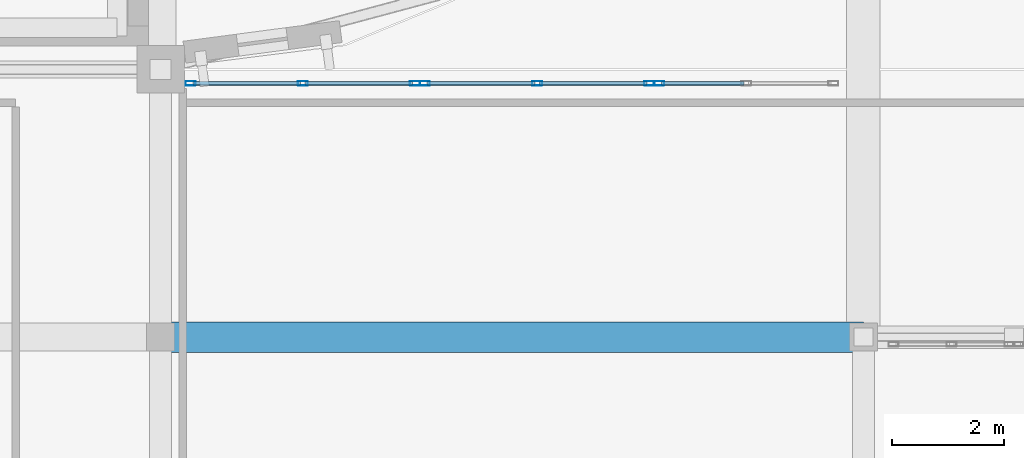
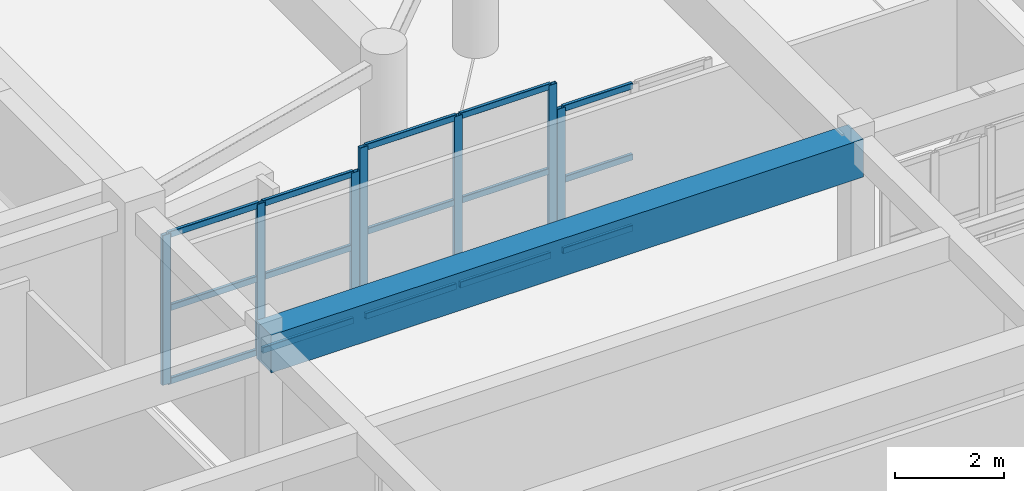
# One storey, part 35 of 92: 22 members, 1 beam, 3 elements without a shape of their own.
"""IFC4 building model written with IfcOpenShell, lengths in metres."""

from ifc_helpers import new_model, si_unit, direction, frame, origin, origin_2d, place, context, subcontext, project, spatial, rectangle, hollow_rectangle, extrude, material, layer, layer_set, material_profile, profile_set, type_object, element, aggregate, save


model = new_model("IFC4")

# Units and contexts
model_context = context("Model", 3, precision=1e-05, world=origin(), true_north=direction((0.0, 1.0)))
body_context = subcontext(model_context, "Body", "Model", "MODEL_VIEW")
ifc_project = project(units=[si_unit("LENGTHUNIT", "METRE"), si_unit("AREAUNIT", "SQUARE_METRE"), si_unit("VOLUMEUNIT", "CUBIC_METRE"), si_unit("PLANEANGLEUNIT", "RADIAN"), si_unit("MASSUNIT", "GRAM", prefix="KILO")], contexts=[model_context])

# Site, building, storey
site_placement = place(None, origin())
site = spatial("IfcSite", under=ifc_project, at=site_placement, CompositionType="ELEMENT")
building_placement = place(site_placement, origin())
building = spatial("IfcBuilding", under=site, at=building_placement, Name="Tarnavel Promenade Courthouse", CompositionType="ELEMENT")
storey_placement = place(building_placement, frame((0.0, 0.0, 5.39990234375)))
storey = spatial("IfcBuildingStorey", under=building, at=storey_placement, Name="L02", CompositionType="ELEMENT", Elevation=5.39990234375)

# Beam
ifc_material_1 = material(Name="Concrete C40/50", Category="concrete")
ifc_material_profile_1 = material_profile(ifc_material_1, rectangle(XDim=0.550048828125, YDim=0.85009765625, at=origin_2d()), Name="PT 550x850")
ifc_profile_set_1 = profile_set([ifc_material_profile_1], Name="Concrete C40/50")
beam_type = type_object("IfcBeamType", Name="Concrete C40/50 BM-PT-550x850 (PT 550x850)", PredefinedType="T_BEAM", material=ifc_profile_set_1)
beam_placement = place(storey_placement, frame((102.0, 74.39990234375, 3.77001953125), z_axis=(1.0, 0.0, 0.0), x_axis=(0.0, 1.0, 0.0)))
element("IfcBeam", 1, at=beam_placement, inside=storey, type_object=beam_type, Name="L02 Primary Longitudinal Beam 1161", PredefinedType="T_BEAM", context=body_context, shape_type="SweptSolid", body=[
    extrude(rectangle(XDim=0.550048828125, YDim=0.85009765625, at=origin_2d()), origin(), (0.0, 0.0, 1.0), 12.60009765625),
])

# Curtain wall, members
ifc_material_2 = material(Name="Thermally Broken Anodised Aluminium Curtain Wall System", Category="aluminium")
ifc_layer = layer(ifc_material_2, 0.2099609375)
ifc_layer_set = layer_set([ifc_layer], Name="Thermally Broken Anodised Aluminium Curtain Wall System")
curtain_wall_type = type_object("IfcCurtainWallType", Name="Thermally Broken Aluminium Triple-Glazed Curtain Wall CW-WG-N", PredefinedType="NOTDEFINED", material=ifc_layer_set)
curtain_wall_1_placement = place(storey_placement, origin())
curtain_wall_1 = element("IfcCurtainWall", 2, at=curtain_wall_1_placement, inside=storey, type_object=curtain_wall_type, Name="L02 Winter-Garden North Curtain Wall 111", PredefinedType="NOTDEFINED")
ifc_material_3 = material(Name="Thermally Broken Anodised Aluminium Frame", Category="aluminium")
ifc_material_profile_2 = material_profile(ifc_material_3, hollow_rectangle(XDim=0.080078125, YDim=0.179931640625, WallThickness=0.0048828125, InnerFilletRadius=0.0048828125, OuterFilletRadius=0.010009765625, at=origin_2d()), Name="CWM 180x80x5")
ifc_profile_set_2 = profile_set([ifc_material_profile_2], Name="Thermally Broken Anodised Aluminium Frame")
member_type_1 = type_object("IfcMemberType", Name="Thermally Broken Anodised Aluminium CWM-155 (CWM 180x80x5)", PredefinedType="MULLION", material=ifc_profile_set_2)
member_1_placement = place(storey_placement, frame((102.5400390625, 78.949951171875, 0.0), z_axis=(0.0, 0.0, 1.0), x_axis=(0.0, 1.0, 0.0)))
member_1 = element("IfcMember", 3, at=member_1_placement, type_object=member_type_1, Name="CW-03 mullion 1", PredefinedType="MULLION", context=body_context, shape_type="SweptSolid", body=[
    extrude(hollow_rectangle(XDim=0.080078125, YDim=0.179931640625, WallThickness=0.0048828125, InnerFilletRadius=0.0048828125, OuterFilletRadius=0.010009765625, at=origin_2d()), origin(), (0.0, 0.0, 1.0), 3.3701171875),
])
member_2_placement = place(storey_placement, frame((104.550048828125, 78.949951171875, 0.0), z_axis=(0.0, 0.0, 1.0), x_axis=(0.0, 1.0, 0.0)))
member_2 = element("IfcMember", 4, at=member_2_placement, type_object=member_type_1, Name="CW-03 mullion 2", PredefinedType="MULLION", context=body_context, shape_type="SweptSolid", body=[
    extrude(hollow_rectangle(XDim=0.080078125, YDim=0.179931640625, WallThickness=0.0048828125, InnerFilletRadius=0.0048828125, OuterFilletRadius=0.010009765625, at=origin_2d()), origin(), (0.0, 0.0, 1.0), 3.3701171875),
])
member_3_placement = place(storey_placement, frame((106.56005859375, 78.949951171875, 0.0), z_axis=(0.0, 0.0, 1.0), x_axis=(0.0, 1.0, 0.0)))
member_3 = element("IfcMember", 5, at=member_3_placement, type_object=member_type_1, Name="CW-03 mullion 3", PredefinedType="MULLION", context=body_context, shape_type="SweptSolid", body=[
    extrude(hollow_rectangle(XDim=0.080078125, YDim=0.179931640625, WallThickness=0.0048828125, InnerFilletRadius=0.0048828125, OuterFilletRadius=0.010009765625, at=origin_2d()), origin(), (0.0, 0.0, 1.0), 3.3701171875),
])

curtain_wall_2_placement = place(storey_placement, origin())
curtain_wall_2 = element("IfcCurtainWall", 6, at=curtain_wall_2_placement, inside=storey, type_object=curtain_wall_type, Name="L02 Winter-Garden North Curtain Wall 112", PredefinedType="NOTDEFINED")
member_4_placement = place(storey_placement, frame((106.739990234375, 78.949951171875, 0.0), z_axis=(0.0, 0.0, 1.0), x_axis=(0.0, 1.0, 0.0)))
member_4 = element("IfcMember", 7, at=member_4_placement, type_object=member_type_1, Name="CW-03 mullion 1", PredefinedType="MULLION", context=body_context, shape_type="SweptSolid", body=[
    extrude(hollow_rectangle(XDim=0.080078125, YDim=0.179931640625, WallThickness=0.0048828125, InnerFilletRadius=0.0048828125, OuterFilletRadius=0.010009765625, at=origin_2d()), origin(), (0.0, 0.0, 1.0), 3.8701171875),
])
member_5_placement = place(storey_placement, frame((108.75, 78.949951171875, 0.0), z_axis=(0.0, 0.0, 1.0), x_axis=(0.0, 1.0, 0.0)))
member_5 = element("IfcMember", 8, at=member_5_placement, type_object=member_type_1, Name="CW-03 mullion 2", PredefinedType="MULLION", context=body_context, shape_type="SweptSolid", body=[
    extrude(hollow_rectangle(XDim=0.080078125, YDim=0.179931640625, WallThickness=0.0048828125, InnerFilletRadius=0.0048828125, OuterFilletRadius=0.010009765625, at=origin_2d()), origin(), (0.0, 0.0, 1.0), 3.8701171875),
])
member_6_placement = place(storey_placement, frame((110.760009765625, 78.949951171875, 0.0), z_axis=(0.0, 0.0, 1.0), x_axis=(0.0, 1.0, 0.0)))
member_6 = element("IfcMember", 9, at=member_6_placement, type_object=member_type_1, Name="CW-03 mullion 3", PredefinedType="MULLION", context=body_context, shape_type="SweptSolid", body=[
    extrude(hollow_rectangle(XDim=0.080078125, YDim=0.179931640625, WallThickness=0.0048828125, InnerFilletRadius=0.0048828125, OuterFilletRadius=0.010009765625, at=origin_2d()), origin(), (0.0, 0.0, 1.0), 3.8701171875),
])

# Curtain wall, member
curtain_wall_3_placement = place(storey_placement, origin())
curtain_wall_3 = element("IfcCurtainWall", 10, at=curtain_wall_3_placement, inside=storey, type_object=curtain_wall_type, Name="L02 Winter-Garden North Curtain Wall 113", PredefinedType="NOTDEFINED")
member_7_placement = place(storey_placement, frame((110.93994140625, 78.949951171875, 0.0), z_axis=(0.0, 0.0, 1.0), x_axis=(0.0, 1.0, 0.0)))
member_7 = element("IfcMember", 11, at=member_7_placement, type_object=member_type_1, Name="CW-03 mullion 1", PredefinedType="MULLION", context=body_context, shape_type="SweptSolid", body=[
    extrude(hollow_rectangle(XDim=0.080078125, YDim=0.179931640625, WallThickness=0.0048828125, InnerFilletRadius=0.0048828125, OuterFilletRadius=0.010009765625, at=origin_2d()), origin(), (0.0, 0.0, 1.0), 3.27001953125),
])

# Member
ifc_material_profile_3 = material_profile(ifc_material_3, hollow_rectangle(XDim=0.070068359375, YDim=0.139892578125, WallThickness=0.0048828125, InnerFilletRadius=0.0048828125, OuterFilletRadius=0.010009765625, at=origin_2d()), Name="CWT 140x70x5")
ifc_profile_set_3 = profile_set([ifc_material_profile_3], Name="Thermally Broken Anodised Aluminium Frame")
member_type_2 = type_object("IfcMemberType", Name="Thermally Broken Anodised Aluminium CWT-125 (CWT 140x70x5)", PredefinedType="USERDEFINED", material=ifc_profile_set_3)
member_8_placement = place(storey_placement, frame((102.580078125, 78.949951171875, 0.03515625), z_axis=(1.0, 0.0, 0.0), x_axis=(0.0, 1.0, 0.0)))
member_8 = element("IfcMember", 12, at=member_8_placement, type_object=member_type_2, Name="CW-03 transom 1.1", ObjectType="TRANSOM", PredefinedType="USERDEFINED", context=body_context, shape_type="SweptSolid", body=[
    extrude(hollow_rectangle(XDim=0.070068359375, YDim=0.139892578125, WallThickness=0.0048828125, InnerFilletRadius=0.0048828125, OuterFilletRadius=0.010009765625, at=origin_2d()), origin(), (0.0, 0.0, 1.0), 1.929931640625),
])

member_9_placement = place(storey_placement, frame((102.580078125, 78.949951171875, 1.68505859375), z_axis=(1.0, 0.0, 0.0), x_axis=(0.0, 1.0, 0.0)))
member_9 = element("IfcMember", 13, at=member_9_placement, type_object=member_type_2, Name="CW-03 transom 1.2", ObjectType="TRANSOM", PredefinedType="USERDEFINED", context=body_context, shape_type="SweptSolid", body=[
    extrude(hollow_rectangle(XDim=0.070068359375, YDim=0.139892578125, WallThickness=0.0048828125, InnerFilletRadius=0.0048828125, OuterFilletRadius=0.010009765625, at=origin_2d()), origin(), (0.0, 0.0, 1.0), 1.929931640625),
])

member_10_placement = place(storey_placement, frame((102.580078125, 78.949951171875, 3.335205078125), z_axis=(1.0, 0.0, 0.0), x_axis=(0.0, 1.0, 0.0)))
member_10 = element("IfcMember", 14, at=member_10_placement, type_object=member_type_2, Name="CW-03 transom 1.3", ObjectType="TRANSOM", PredefinedType="USERDEFINED", context=body_context, shape_type="SweptSolid", body=[
    extrude(hollow_rectangle(XDim=0.070068359375, YDim=0.139892578125, WallThickness=0.0048828125, InnerFilletRadius=0.0048828125, OuterFilletRadius=0.010009765625, at=origin_2d()), origin(), (0.0, 0.0, 1.0), 1.929931640625),
])

member_11_placement = place(storey_placement, frame((104.590087890625, 78.949951171875, 0.03515625), z_axis=(1.0, 0.0, 0.0), x_axis=(0.0, 1.0, 0.0)))
member_11 = element("IfcMember", 15, at=member_11_placement, type_object=member_type_2, Name="CW-03 transom 2.1", ObjectType="TRANSOM", PredefinedType="USERDEFINED", context=body_context, shape_type="SweptSolid", body=[
    extrude(hollow_rectangle(XDim=0.070068359375, YDim=0.139892578125, WallThickness=0.0048828125, InnerFilletRadius=0.0048828125, OuterFilletRadius=0.010009765625, at=origin_2d()), origin(), (0.0, 0.0, 1.0), 1.929931640625),
])

member_12_placement = place(storey_placement, frame((104.590087890625, 78.949951171875, 1.68505859375), z_axis=(1.0, 0.0, 0.0), x_axis=(0.0, 1.0, 0.0)))
member_12 = element("IfcMember", 16, at=member_12_placement, type_object=member_type_2, Name="CW-03 transom 2.2", ObjectType="TRANSOM", PredefinedType="USERDEFINED", context=body_context, shape_type="SweptSolid", body=[
    extrude(hollow_rectangle(XDim=0.070068359375, YDim=0.139892578125, WallThickness=0.0048828125, InnerFilletRadius=0.0048828125, OuterFilletRadius=0.010009765625, at=origin_2d()), origin(), (0.0, 0.0, 1.0), 1.929931640625),
])

member_13_placement = place(storey_placement, frame((104.590087890625, 78.949951171875, 3.335205078125), z_axis=(1.0, 0.0, 0.0), x_axis=(0.0, 1.0, 0.0)))
member_13 = element("IfcMember", 17, at=member_13_placement, type_object=member_type_2, Name="CW-03 transom 2.3", ObjectType="TRANSOM", PredefinedType="USERDEFINED", context=body_context, shape_type="SweptSolid", body=[
    extrude(hollow_rectangle(XDim=0.070068359375, YDim=0.139892578125, WallThickness=0.0048828125, InnerFilletRadius=0.0048828125, OuterFilletRadius=0.010009765625, at=origin_2d()), origin(), (0.0, 0.0, 1.0), 1.929931640625),
])

aggregate(curtain_wall_1, [member_1, member_2, member_3, member_8, member_9, member_10, member_11, member_12, member_13])

member_14_placement = place(storey_placement, frame((106.780029296875, 78.949951171875, 0.03515625), z_axis=(1.0, 0.0, 0.0), x_axis=(0.0, 1.0, 0.0)))
member_14 = element("IfcMember", 18, at=member_14_placement, type_object=member_type_2, Name="CW-03 transom 1.1", ObjectType="TRANSOM", PredefinedType="USERDEFINED", context=body_context, shape_type="SweptSolid", body=[
    extrude(hollow_rectangle(XDim=0.070068359375, YDim=0.139892578125, WallThickness=0.0048828125, InnerFilletRadius=0.0048828125, OuterFilletRadius=0.010009765625, at=origin_2d()), origin(), (0.0, 0.0, 1.0), 1.929931640625),
])

member_15_placement = place(storey_placement, frame((106.780029296875, 78.949951171875, 1.93505859375), z_axis=(1.0, 0.0, 0.0), x_axis=(0.0, 1.0, 0.0)))
member_15 = element("IfcMember", 19, at=member_15_placement, type_object=member_type_2, Name="CW-03 transom 1.2", ObjectType="TRANSOM", PredefinedType="USERDEFINED", context=body_context, shape_type="SweptSolid", body=[
    extrude(hollow_rectangle(XDim=0.070068359375, YDim=0.139892578125, WallThickness=0.0048828125, InnerFilletRadius=0.0048828125, OuterFilletRadius=0.010009765625, at=origin_2d()), origin(), (0.0, 0.0, 1.0), 1.929931640625),
])

member_16_placement = place(storey_placement, frame((106.780029296875, 78.949951171875, 3.835205078125), z_axis=(1.0, 0.0, 0.0), x_axis=(0.0, 1.0, 0.0)))
member_16 = element("IfcMember", 20, at=member_16_placement, type_object=member_type_2, Name="CW-03 transom 1.3", ObjectType="TRANSOM", PredefinedType="USERDEFINED", context=body_context, shape_type="SweptSolid", body=[
    extrude(hollow_rectangle(XDim=0.070068359375, YDim=0.139892578125, WallThickness=0.0048828125, InnerFilletRadius=0.0048828125, OuterFilletRadius=0.010009765625, at=origin_2d()), origin(), (0.0, 0.0, 1.0), 1.929931640625),
])

member_17_placement = place(storey_placement, frame((108.7900390625, 78.949951171875, 0.03515625), z_axis=(1.0, 0.0, 0.0), x_axis=(0.0, 1.0, 0.0)))
member_17 = element("IfcMember", 21, at=member_17_placement, type_object=member_type_2, Name="CW-03 transom 2.1", ObjectType="TRANSOM", PredefinedType="USERDEFINED", context=body_context, shape_type="SweptSolid", body=[
    extrude(hollow_rectangle(XDim=0.070068359375, YDim=0.139892578125, WallThickness=0.0048828125, InnerFilletRadius=0.0048828125, OuterFilletRadius=0.010009765625, at=origin_2d()), origin(), (0.0, 0.0, 1.0), 1.929931640625),
])

member_18_placement = place(storey_placement, frame((108.7900390625, 78.949951171875, 1.93505859375), z_axis=(1.0, 0.0, 0.0), x_axis=(0.0, 1.0, 0.0)))
member_18 = element("IfcMember", 22, at=member_18_placement, type_object=member_type_2, Name="CW-03 transom 2.2", ObjectType="TRANSOM", PredefinedType="USERDEFINED", context=body_context, shape_type="SweptSolid", body=[
    extrude(hollow_rectangle(XDim=0.070068359375, YDim=0.139892578125, WallThickness=0.0048828125, InnerFilletRadius=0.0048828125, OuterFilletRadius=0.010009765625, at=origin_2d()), origin(), (0.0, 0.0, 1.0), 1.929931640625),
])

member_19_placement = place(storey_placement, frame((108.7900390625, 78.949951171875, 3.835205078125), z_axis=(1.0, 0.0, 0.0), x_axis=(0.0, 1.0, 0.0)))
member_19 = element("IfcMember", 23, at=member_19_placement, type_object=member_type_2, Name="CW-03 transom 2.3", ObjectType="TRANSOM", PredefinedType="USERDEFINED", context=body_context, shape_type="SweptSolid", body=[
    extrude(hollow_rectangle(XDim=0.070068359375, YDim=0.139892578125, WallThickness=0.0048828125, InnerFilletRadius=0.0048828125, OuterFilletRadius=0.010009765625, at=origin_2d()), origin(), (0.0, 0.0, 1.0), 1.929931640625),
])

aggregate(curtain_wall_2, [member_4, member_5, member_6, member_14, member_15, member_16, member_17, member_18, member_19])

member_20_placement = place(storey_placement, frame((110.97998046875, 78.949951171875, 0.03515625), z_axis=(1.0, 0.0, 0.0), x_axis=(0.0, 1.0, 0.0)))
member_20 = element("IfcMember", 24, at=member_20_placement, type_object=member_type_2, Name="CW-03 transom 1.1", ObjectType="TRANSOM", PredefinedType="USERDEFINED", context=body_context, shape_type="SweptSolid", body=[
    extrude(hollow_rectangle(XDim=0.070068359375, YDim=0.139892578125, WallThickness=0.0048828125, InnerFilletRadius=0.0048828125, OuterFilletRadius=0.010009765625, at=origin_2d()), origin(), (0.0, 0.0, 1.0), 1.47998046875),
])

member_21_placement = place(storey_placement, frame((110.97998046875, 78.949951171875, 1.635009765625), z_axis=(1.0, 0.0, 0.0), x_axis=(0.0, 1.0, 0.0)))
member_21 = element("IfcMember", 25, at=member_21_placement, type_object=member_type_2, Name="CW-03 transom 1.2", ObjectType="TRANSOM", PredefinedType="USERDEFINED", context=body_context, shape_type="SweptSolid", body=[
    extrude(hollow_rectangle(XDim=0.070068359375, YDim=0.139892578125, WallThickness=0.0048828125, InnerFilletRadius=0.0048828125, OuterFilletRadius=0.010009765625, at=origin_2d()), origin(), (0.0, 0.0, 1.0), 1.47998046875),
])

member_22_placement = place(storey_placement, frame((110.97998046875, 78.949951171875, 3.235107421875), z_axis=(1.0, 0.0, 0.0), x_axis=(0.0, 1.0, 0.0)))
member_22 = element("IfcMember", 26, at=member_22_placement, type_object=member_type_2, Name="CW-03 transom 1.3", ObjectType="TRANSOM", PredefinedType="USERDEFINED", context=body_context, shape_type="SweptSolid", body=[
    extrude(hollow_rectangle(XDim=0.070068359375, YDim=0.139892578125, WallThickness=0.0048828125, InnerFilletRadius=0.0048828125, OuterFilletRadius=0.010009765625, at=origin_2d()), origin(), (0.0, 0.0, 1.0), 1.47998046875),
])

aggregate(curtain_wall_3, [member_7, member_20, member_21, member_22])

save(model, "model.ifc")
